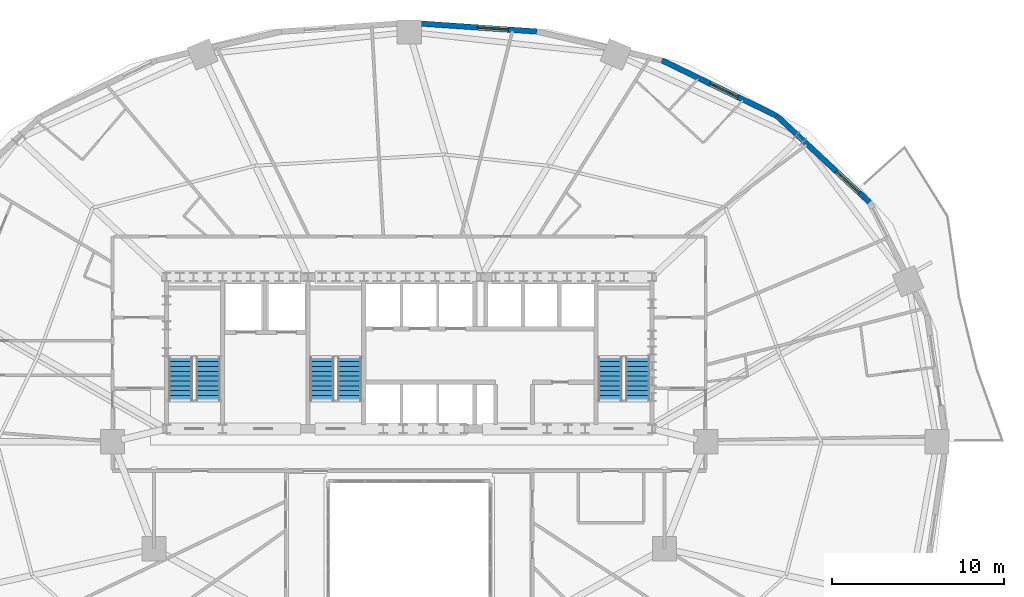
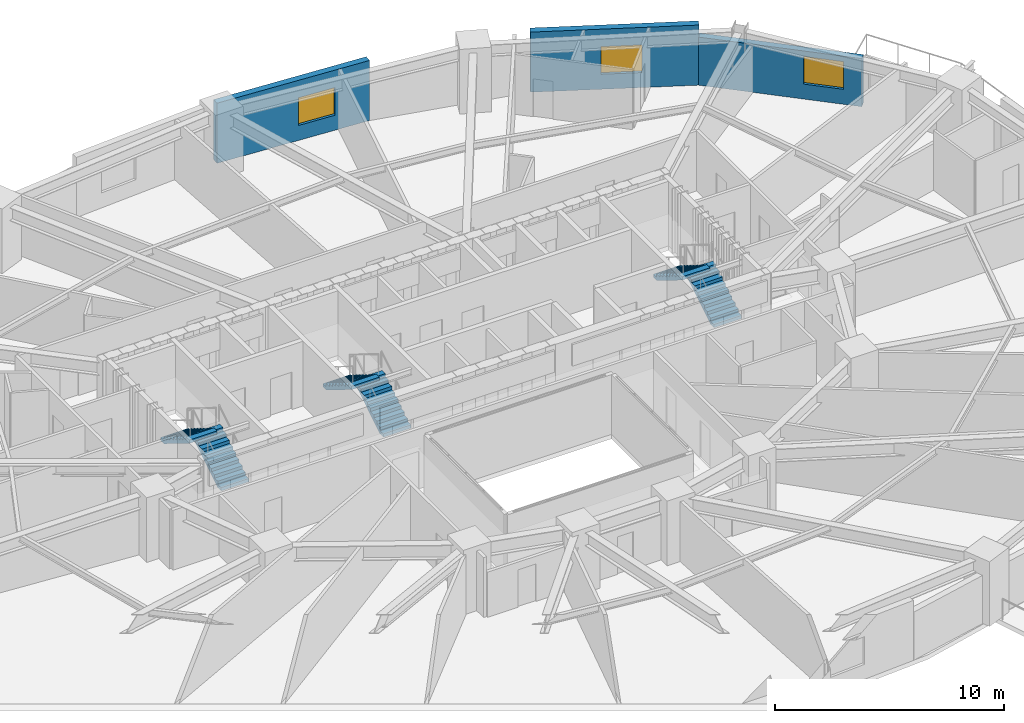
# One storey, part 13 of 17: 6 stair flights, 3 walls, 3 windows, 3 openings, 3 elements without a shape of their own.
"""IFC4 building model written with IfcOpenShell, lengths in metres."""

from ifc_helpers import new_model, si_unit, direction, frame, frame_2d, origin, place, context, subcontext, project, spatial, polyline, rectangle, outline, extrude, material, layer, layer_set, type_object, element, fill, aggregate, save


model = new_model("IFC4")

# Units and contexts
model_context = context("Model", 3, precision=1e-05, world=origin(), true_north=direction((0.0, 1.0)))
body_context = subcontext(model_context, "Body", "Model", "MODEL_VIEW")
ifc_project = project(units=[si_unit("LENGTHUNIT", "METRE"), si_unit("AREAUNIT", "SQUARE_METRE"), si_unit("VOLUMEUNIT", "CUBIC_METRE"), si_unit("PLANEANGLEUNIT", "RADIAN"), si_unit("MASSUNIT", "GRAM", prefix="KILO")], contexts=[model_context])

# Site, building, storey
site_placement = place(None, origin())
site = spatial("IfcSite", under=ifc_project, at=site_placement, CompositionType="ELEMENT")
building_placement = place(site_placement, origin())
building = spatial("IfcBuilding", under=site, at=building_placement, Name="Haldorwick Loom Tower", CompositionType="ELEMENT")
storey_placement = place(building_placement, frame((0.0, 0.0, 30.89990234375)))
storey = spatial("IfcBuildingStorey", under=building, at=storey_placement, Name="L07", CompositionType="ELEMENT", Elevation=30.89990234375)

# Wall, opening, window
ifc_material_1 = material(Name="Pressed Clay Face Brick and Insulated Masonry Backup Assembly", Category="masonry")
ifc_layer = layer(ifc_material_1, 0.320068359375, Name="Pressed Clay Face Brick and Insulated Masonry Backup Assembly", Category="masonry")
ifc_layer_set = layer_set([ifc_layer], Name="Pressed Clay Face Brick and Insulated Masonry Backup Assembly")
wall_type = type_object("IfcWallType", Name="ARC-WL-EXT320", PredefinedType="STANDARD", material=ifc_layer_set)
wall_1_placement = place(storey_placement, frame((62.688720703125, 39.880859375, 0.0), z_axis=(0.0, 0.0, 1.0), x_axis=(-0.73176101237, 0.681561311091, 0.0)))
wall_1 = element("IfcWall", 1, at=wall_1_placement, inside=storey, type_object=wall_type, Name="L07 Brick Pier and Spandrel Wall 3", PredefinedType="STANDARD", context=body_context, shape_type="SweptSolid", body=[
    extrude(rectangle(XDim=7.3583984375, YDim=0.320068359375, at=frame_2d((3.67919921875, 0.0))), origin(), (0.0, 0.0, 1.0), 2.569091796875),
])
opening_1_placement = place(wall_1_placement, frame((0.82177734375, 0.0, 0.800048828125)))
opening_1 = element("IfcOpeningElement", 2, at=opening_1_placement, cuts=wall_1, Name="Opening W-01", PredefinedType="OPENING", context=body_context, shape_type="SweptSolid", body=[
    extrude(rectangle(XDim=1.800048828125, YDim=1.47998046875, at=frame_2d((0.89990234375, 0.739990234375))), frame((0.0, 0.169921875, 0.0), z_axis=(0.0, -1.0, 0.0), x_axis=(1.0, 0.0, 0.0)), (0.0, 0.0, 1.0), 0.340087890625),
])
ifc_material_2 = material(Name="Triple-Glazed Low-E Argon Insulated Glazing Unit", Category="glass")
window_type = type_object("IfcWindowType", Name="ARC-WIN-W180", PartitioningType="SINGLE_PANEL", PredefinedType="WINDOW", material=ifc_material_2)
window_1_placement = place(opening_1_placement, origin())
window_1 = element("IfcWindow", 3, at=window_1_placement, inside=storey, type_object=window_type, Name="L07 Deep-Set Zone 7A Window 3", OverallHeight=1.47998046875, OverallWidth=1.800048828125, PartitioningType="SINGLE_PANEL", PredefinedType="WINDOW", context=body_context, shape_type="SweptSolid", body=[
    extrude(rectangle(XDim=1.800048828125, YDim=1.47998046875, at=frame_2d((0.89990234375, 0.739990234375))), frame((0.0, 0.030029296875, 0.0), z_axis=(0.0, -1.0, 0.0), x_axis=(1.0, 0.0, 0.0)), (0.0, 0.0, 1.0), 0.06005859375),
])
fill(opening_1, window_1)

wall_2_placement = place(storey_placement, frame((57.30419921875, 44.89599609375, 0.0), z_axis=(0.0, 0.0, 1.0), x_axis=(-0.900295710431, 0.435278800057, 0.0)))
wall_2 = element("IfcWall", 4, at=wall_2_placement, inside=storey, type_object=wall_type, Name="L07 Brick Pier and Spandrel Wall 4", PredefinedType="STANDARD", context=body_context, shape_type="SweptSolid", body=[
    extrude(rectangle(XDim=7.39697265625, YDim=0.320068359375, at=frame_2d((3.698486328125, 0.0))), origin(), (0.0, 0.0, 1.0), 3.210205078125),
])
opening_2_placement = place(wall_2_placement, frame((2.498779296875, 0.0, 0.800048828125)))
opening_2 = element("IfcOpeningElement", 5, at=opening_2_placement, cuts=wall_2, Name="Opening W-01", PredefinedType="OPENING", context=body_context, shape_type="SweptSolid", body=[
    extrude(rectangle(XDim=1.800048828125, YDim=1.47998046875, at=frame_2d((0.89990234375, 0.739990234375))), frame((0.0, 0.169921875, 0.0), z_axis=(0.0, -1.0, 0.0), x_axis=(1.0, 0.0, 0.0)), (0.0, 0.0, 1.0), 0.340087890625),
])
window_2_placement = place(opening_2_placement, origin())
window_2 = element("IfcWindow", 6, at=window_2_placement, inside=storey, type_object=window_type, Name="L07 Deep-Set Zone 7A Window 4", OverallHeight=1.47998046875, OverallWidth=1.800048828125, PartitioningType="SINGLE_PANEL", PredefinedType="WINDOW", context=body_context, shape_type="SweptSolid", body=[
    extrude(rectangle(XDim=1.800048828125, YDim=1.47998046875, at=frame_2d((0.89990234375, 0.739990234375))), frame((0.0, 0.030029296875, 0.0), z_axis=(0.0, -1.0, 0.0), x_axis=(1.0, 0.0, 0.0)), (0.0, 0.0, 1.0), 0.06005859375),
])
fill(opening_2, window_2)

wall_3_placement = place(storey_placement, frame((43.411376953125, 49.780517578125, 0.0), z_axis=(0.0, 0.0, 1.0), x_axis=(-0.997645161917, 0.068586667092, 0.0)))
wall_3 = element("IfcWall", 7, at=wall_3_placement, inside=storey, type_object=wall_type, Name="L07 Brick Pier and Spandrel Wall 6", PredefinedType="STANDARD", context=body_context, shape_type="SweptSolid", body=[
    extrude(rectangle(XDim=7.428955078125, YDim=0.320068359375, at=frame_2d((3.71435546875, 0.0))), origin(), (0.0, 0.0, 1.0), 3.210205078125),
])
opening_3_placement = place(wall_3_placement, frame((1.667724609375, 0.0, 0.800048828125)))
opening_3 = element("IfcOpeningElement", 8, at=opening_3_placement, cuts=wall_3, Name="Opening W-01", PredefinedType="OPENING", context=body_context, shape_type="SweptSolid", body=[
    extrude(rectangle(XDim=1.800048828125, YDim=1.47998046875, at=frame_2d((0.89990234375, 0.739990234375))), frame((0.0, 0.169921875, 0.0), z_axis=(0.0, -1.0, 0.0), x_axis=(1.0, 0.0, 0.0)), (0.0, 0.0, 1.0), 0.340087890625),
])
window_3_placement = place(opening_3_placement, origin())
window_3 = element("IfcWindow", 9, at=window_3_placement, inside=storey, type_object=window_type, Name="L07 Deep-Set Zone 7A Window 6", OverallHeight=1.47998046875, OverallWidth=1.800048828125, PartitioningType="SINGLE_PANEL", PredefinedType="WINDOW", context=body_context, shape_type="SweptSolid", body=[
    extrude(rectangle(XDim=1.800048828125, YDim=1.47998046875, at=frame_2d((0.89990234375, 0.739990234375))), frame((0.0, 0.030029296875, 0.0), z_axis=(0.0, -1.0, 0.0), x_axis=(1.0, 0.0, 0.0)), (0.0, 0.0, 1.0), 0.06005859375),
])
fill(opening_3, window_3)

# Stair, stair flights
ifc_material_3 = material(Name="Concrete C40 (40 MPa)", Category="concrete")
stair_type = type_object("IfcStairType", Name="STR-STR-CORE", PredefinedType="HALF_TURN_STAIR", material=ifc_material_3)
stair_1_placement = place(storey_placement, origin())
stair_1 = element("IfcStair", 10, at=stair_1_placement, inside=storey, type_object=stair_type, Name="L07 Exit Stair ST-01", PredefinedType="HALF_TURN_STAIR")
stair_flight_type = type_object("IfcStairFlightType", Name="STR-STF-1250", PredefinedType="STRAIGHT", material=ifc_material_3)
stair_flight_1_placement = place(storey_placement, frame((24.35009765625, 28.39990234375, 0.0), z_axis=(0.0, 0.0, 1.0), x_axis=(0.0, 1.0, 0.0)))
stair_flight_1 = element("IfcStairFlight", 11, at=stair_flight_1_placement, type_object=stair_flight_type, Name="ST-01 flight 1", NumberOfRisers=10, NumberOfTreads=9, PredefinedType="STRAIGHT", RiserHeight=0.1725, TreadLength=0.28, context=body_context, shape_type="SweptSolid", body=[
    extrude(outline(polyline([(0.0, 0.0), (0.0, 0.172607421875), (0.280029296875, 0.172607421875), (0.280029296875, 0.344970703125), (0.56005859375, 0.344970703125), (0.56005859375, 0.517578125), (0.840087890625, 0.517578125), (0.840087890625, 0.68994140625), (1.1201171875, 0.68994140625), (1.1201171875, 0.862548828125), (1.39990234375, 0.862548828125), (1.39990234375, 1.034912109375), (1.679931640625, 1.034912109375), (1.679931640625, 1.20751953125), (1.9599609375, 1.20751953125), (1.9599609375, 1.3798828125), (2.239990234375, 1.3798828125), (2.239990234375, 1.552490234375), (2.52001953125, 1.552490234375), (2.52001953125, 1.72509765625), (2.52001953125, 1.37646484375), (0.285888671875, 0.0), (0.0, 0.0)])), frame((0.0, 0.699951171875, 0.0), z_axis=(0.0, -1.0, 0.0), x_axis=(1.0, 0.0, 0.0)), (0.0, 0.0, 1.0), 1.39990234375),
])
stair_flight_2_placement = place(storey_placement, frame((22.75, 30.919921875, 1.72509765625), z_axis=(0.0, 0.0, 1.0), x_axis=(0.0, -1.0, 0.0)))
stair_flight_2 = element("IfcStairFlight", 12, at=stair_flight_2_placement, type_object=stair_flight_type, Name="ST-01 flight 2", NumberOfRisers=10, NumberOfTreads=9, PredefinedType="STRAIGHT", RiserHeight=0.1725, TreadLength=0.28, context=body_context, shape_type="SweptSolid", body=[
    extrude(outline(polyline([(0.0, 0.0), (0.0, 0.172607421875), (0.280029296875, 0.172607421875), (0.280029296875, 0.344970703125), (0.56005859375, 0.344970703125), (0.56005859375, 0.517578125), (0.840087890625, 0.517578125), (0.840087890625, 0.68994140625), (1.1201171875, 0.68994140625), (1.1201171875, 0.862548828125), (1.39990234375, 0.862548828125), (1.39990234375, 1.034912109375), (1.679931640625, 1.034912109375), (1.679931640625, 1.20751953125), (1.9599609375, 1.20751953125), (1.9599609375, 1.3798828125), (2.239990234375, 1.3798828125), (2.239990234375, 1.552490234375), (2.52001953125, 1.552490234375), (2.52001953125, 1.72509765625), (2.52001953125, 1.37646484375), (0.285888671875, 0.0), (0.0, 0.0)])), frame((0.0, 0.699951171875, 0.0), z_axis=(0.0, -1.0, 0.0), x_axis=(1.0, 0.0, 0.0)), (0.0, 0.0, 1.0), 1.39990234375),
])
aggregate(stair_1, [stair_flight_1, stair_flight_2])

stair_2_placement = place(storey_placement, origin())
stair_2 = element("IfcStair", 13, at=stair_2_placement, inside=storey, type_object=stair_type, Name="L07 Exit Stair ST-02", PredefinedType="HALF_TURN_STAIR")
stair_flight_3_placement = place(storey_placement, frame((49.25, 28.39990234375, 0.0), z_axis=(0.0, 0.0, 1.0), x_axis=(0.0, 1.0, 0.0)))
stair_flight_3 = element("IfcStairFlight", 14, at=stair_flight_3_placement, type_object=stair_flight_type, Name="ST-02 flight 1", NumberOfRisers=10, NumberOfTreads=9, PredefinedType="STRAIGHT", RiserHeight=0.1725, TreadLength=0.28, context=body_context, shape_type="SweptSolid", body=[
    extrude(outline(polyline([(0.0, 0.0), (0.0, 0.172607421875), (0.280029296875, 0.172607421875), (0.280029296875, 0.344970703125), (0.56005859375, 0.344970703125), (0.56005859375, 0.517578125), (0.840087890625, 0.517578125), (0.840087890625, 0.68994140625), (1.1201171875, 0.68994140625), (1.1201171875, 0.862548828125), (1.39990234375, 0.862548828125), (1.39990234375, 1.034912109375), (1.679931640625, 1.034912109375), (1.679931640625, 1.20751953125), (1.9599609375, 1.20751953125), (1.9599609375, 1.3798828125), (2.239990234375, 1.3798828125), (2.239990234375, 1.552490234375), (2.52001953125, 1.552490234375), (2.52001953125, 1.72509765625), (2.52001953125, 1.37646484375), (0.285888671875, 0.0), (0.0, 0.0)])), frame((0.0, 0.699951171875, 0.0), z_axis=(0.0, -1.0, 0.0), x_axis=(1.0, 0.0, 0.0)), (0.0, 0.0, 1.0), 1.39990234375),
])
stair_flight_4_placement = place(storey_placement, frame((47.64990234375, 30.919921875, 1.72509765625), z_axis=(0.0, 0.0, 1.0), x_axis=(0.0, -1.0, 0.0)))
stair_flight_4 = element("IfcStairFlight", 15, at=stair_flight_4_placement, type_object=stair_flight_type, Name="ST-02 flight 2", NumberOfRisers=10, NumberOfTreads=9, PredefinedType="STRAIGHT", RiserHeight=0.1725, TreadLength=0.28, context=body_context, shape_type="SweptSolid", body=[
    extrude(outline(polyline([(0.0, 0.0), (0.0, 0.172607421875), (0.280029296875, 0.172607421875), (0.280029296875, 0.344970703125), (0.56005859375, 0.344970703125), (0.56005859375, 0.517578125), (0.840087890625, 0.517578125), (0.840087890625, 0.68994140625), (1.1201171875, 0.68994140625), (1.1201171875, 0.862548828125), (1.39990234375, 0.862548828125), (1.39990234375, 1.034912109375), (1.679931640625, 1.034912109375), (1.679931640625, 1.20751953125), (1.9599609375, 1.20751953125), (1.9599609375, 1.3798828125), (2.239990234375, 1.3798828125), (2.239990234375, 1.552490234375), (2.52001953125, 1.552490234375), (2.52001953125, 1.72509765625), (2.52001953125, 1.37646484375), (0.285888671875, 0.0), (0.0, 0.0)])), frame((0.0, 0.699951171875, 0.0), z_axis=(0.0, -1.0, 0.0), x_axis=(1.0, 0.0, 0.0)), (0.0, 0.0, 1.0), 1.39990234375),
])
aggregate(stair_2, [stair_flight_3, stair_flight_4])

stair_3_placement = place(storey_placement, origin())
stair_3 = element("IfcStair", 16, at=stair_3_placement, inside=storey, type_object=stair_type, Name="L07 Exit Stair ST-03", PredefinedType="HALF_TURN_STAIR")
stair_flight_5_placement = place(storey_placement, frame((32.550048828125, 28.39990234375, 0.0), z_axis=(0.0, 0.0, 1.0), x_axis=(0.0, 1.0, 0.0)))
stair_flight_5 = element("IfcStairFlight", 17, at=stair_flight_5_placement, type_object=stair_flight_type, Name="ST-03 flight 1", NumberOfRisers=10, NumberOfTreads=9, PredefinedType="STRAIGHT", RiserHeight=0.1725, TreadLength=0.28, context=body_context, shape_type="SweptSolid", body=[
    extrude(outline(polyline([(0.0, 0.0), (0.0, 0.172607421875), (0.280029296875, 0.172607421875), (0.280029296875, 0.344970703125), (0.56005859375, 0.344970703125), (0.56005859375, 0.517578125), (0.840087890625, 0.517578125), (0.840087890625, 0.68994140625), (1.1201171875, 0.68994140625), (1.1201171875, 0.862548828125), (1.39990234375, 0.862548828125), (1.39990234375, 1.034912109375), (1.679931640625, 1.034912109375), (1.679931640625, 1.20751953125), (1.9599609375, 1.20751953125), (1.9599609375, 1.3798828125), (2.239990234375, 1.3798828125), (2.239990234375, 1.552490234375), (2.52001953125, 1.552490234375), (2.52001953125, 1.72509765625), (2.52001953125, 1.37646484375), (0.285888671875, 0.0), (0.0, 0.0)])), frame((0.0, 0.699951171875, 0.0), z_axis=(0.0, -1.0, 0.0), x_axis=(1.0, 0.0, 0.0)), (0.0, 0.0, 1.0), 1.39990234375),
])
stair_flight_6_placement = place(storey_placement, frame((30.949951171875, 30.919921875, 1.72509765625), z_axis=(0.0, 0.0, 1.0), x_axis=(0.0, -1.0, 0.0)))
stair_flight_6 = element("IfcStairFlight", 18, at=stair_flight_6_placement, type_object=stair_flight_type, Name="ST-03 flight 2", NumberOfRisers=10, NumberOfTreads=9, PredefinedType="STRAIGHT", RiserHeight=0.1725, TreadLength=0.28, context=body_context, shape_type="SweptSolid", body=[
    extrude(outline(polyline([(0.0, 0.0), (0.0, 0.172607421875), (0.280029296875, 0.172607421875), (0.280029296875, 0.344970703125), (0.56005859375, 0.344970703125), (0.56005859375, 0.517578125), (0.840087890625, 0.517578125), (0.840087890625, 0.68994140625), (1.1201171875, 0.68994140625), (1.1201171875, 0.862548828125), (1.39990234375, 0.862548828125), (1.39990234375, 1.034912109375), (1.679931640625, 1.034912109375), (1.679931640625, 1.20751953125), (1.9599609375, 1.20751953125), (1.9599609375, 1.3798828125), (2.239990234375, 1.3798828125), (2.239990234375, 1.552490234375), (2.52001953125, 1.552490234375), (2.52001953125, 1.72509765625), (2.52001953125, 1.37646484375), (0.285888671875, 0.0), (0.0, 0.0)])), frame((0.0, 0.699951171875, 0.0), z_axis=(0.0, -1.0, 0.0), x_axis=(1.0, 0.0, 0.0)), (0.0, 0.0, 1.0), 1.39990234375),
])
aggregate(stair_3, [stair_flight_5, stair_flight_6])

save(model, "model.ifc")
